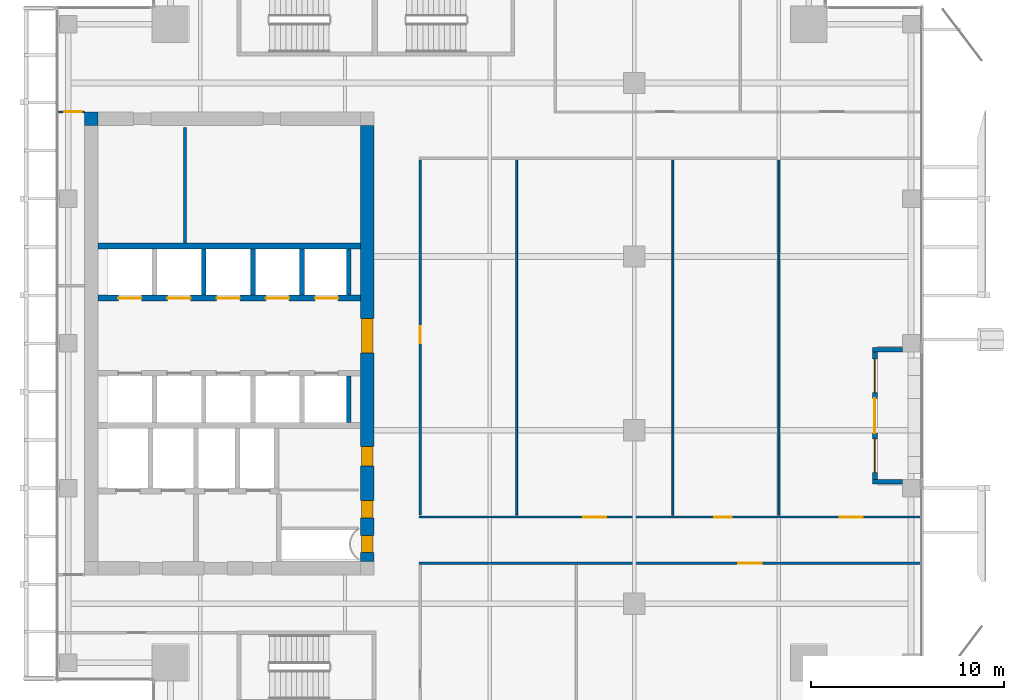
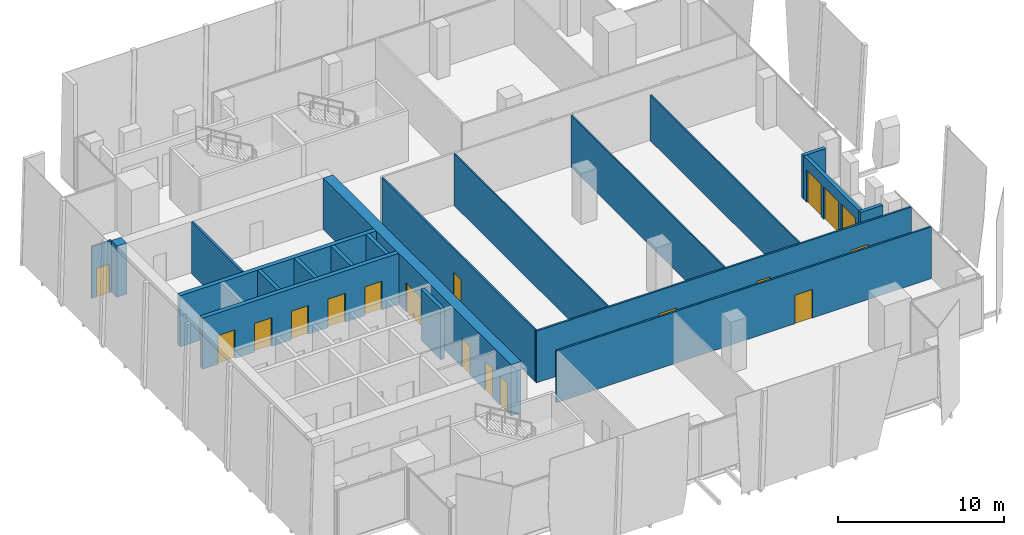
# One storey, part 29 of 35: 20 walls, 16 doors, 2 windows, 18 openings.
"""IFC4 building model written with IfcOpenShell, lengths in metres."""

import ifcopenshell
import ifcopenshell.guid

model = None  # the IFC model being written
_history = None  # IfcOwnerHistory: only IFC2X3 demands one
_inside = {}  # id of a spatial element -> (the spatial element, [elements in it])
_under = {}  # id of a project, library or spatial element -> (it, [spatial elements below it])
_declared = {}  # id of a project -> (the project, [libraries it declares])
_typed = {}  # id of a type object -> (the type object, [elements of that type])
_made_of = {}  # id of a material, layer set ... -> (it, [elements and type objects made of it])


def new_model(schema):
    """Start an empty IFC model of exactly this schema.

    Asked for "IFC4X3", IfcOpenShell would pick the latest addendum, in which some entities
    have other attributes; the version numbers below select the first issue.
    IFC2X3 requires an IfcOwnerHistory on every rooted entity: one is made here for all.
    """
    global model, _history
    if schema == "IFC4X3":
        model = ifcopenshell.file(schema_version=(4, 3, 0, 0))
    else:
        model = ifcopenshell.file(schema=schema)
    _inside.clear()
    _under.clear()
    _declared.clear()
    _typed.clear()
    _made_of.clear()
    _history = None
    if model.schema == "IFC2X3":
        org = make("IfcOrganization", Name="unknown")
        user = make(
            "IfcPersonAndOrganization",
            ThePerson=make("IfcPerson", FamilyName="unknown"),
            TheOrganization=org,
        )
        app = make(
            "IfcApplication",
            ApplicationDeveloper=org,
            Version="unknown",
            ApplicationFullName="unknown",
            ApplicationIdentifier="unknown",
        )
        _history = make(
            "IfcOwnerHistory",
            OwningUser=user,
            OwningApplication=app,
            ChangeAction="ADDED",
            CreationDate=0,
        )
    return model


def make(cls, **values):
    """One entity of the class cls with the attributes given. An attribute that is None is left unset."""
    return model.create_entity(
        cls, **{name: value for name, value in values.items() if value is not None}
    )


def rooted(cls, **values):
    """An entity with a GlobalId (a new one), such as an element, a storey or a relation."""
    return make(cls, GlobalId=ifcopenshell.guid.new(), OwnerHistory=_history, **values)


def si_unit(unit_type, name, prefix=None):
    """IfcSIUnit, for example si_unit("LENGTHUNIT", "METRE", prefix="MILLI")."""
    return make("IfcSIUnit", UnitType=unit_type, Prefix=prefix, Name=name)


def assignment(units):
    """IfcUnitAssignment: the units of a project."""
    return None if units is None else make("IfcUnitAssignment", Units=units)


def point(xyz):
    """IfcCartesianPoint."""
    return None if xyz is None else make("IfcCartesianPoint", Coordinates=xyz)


def direction(xyz):
    """IfcDirection."""
    return None if xyz is None else make("IfcDirection", DirectionRatios=xyz)


def frame(location, z_axis=None, x_axis=None):
    """IfcAxis2Placement3D, a coordinate frame: its origin and axes. An axis left out is left unset."""
    return make(
        "IfcAxis2Placement3D",
        Location=point(location),
        Axis=direction(z_axis),
        RefDirection=direction(x_axis),
    )


def frame_2d(location, x_axis=None):
    """IfcAxis2Placement2D, a coordinate frame in the plane: its origin and x axis."""
    return make(
        "IfcAxis2Placement2D", Location=point(location), RefDirection=direction(x_axis)
    )


def origin():
    """The frame at (0, 0, 0) with its axes left unset."""
    return frame((0.0, 0.0, 0.0))


def place(relative_to, where):
    """IfcLocalPlacement: puts the frame where relative to a parent placement (None: the world)."""
    return make(
        "IfcLocalPlacement", PlacementRelTo=relative_to, RelativePlacement=where
    )


def context(
    kind, dimensions, precision=None, world=None, true_north=None, identifier=None
):
    """IfcGeometricRepresentationContext, for example the 3D "Model" context."""
    return make(
        "IfcGeometricRepresentationContext",
        ContextIdentifier=identifier,
        ContextType=kind,
        CoordinateSpaceDimension=dimensions,
        Precision=precision,
        WorldCoordinateSystem=world,
        TrueNorth=true_north,
    )


def subcontext(parent, identifier, kind, view, scale=None):
    """IfcGeometricRepresentationSubContext, for example "Body" below "Model"."""
    return make(
        "IfcGeometricRepresentationSubContext",
        ContextIdentifier=identifier,
        ContextType=kind,
        ParentContext=parent,
        TargetScale=scale,
        TargetView=view,
    )


def project(units=None, contexts=None):
    """IfcProject with its units and contexts."""
    return rooted(
        "IfcProject",
        Name="project",
        RepresentationContexts=contexts,
        UnitsInContext=assignment(units),
    )


def spatial(cls, under=None, at=None, **own):
    """A site, building, storey or space (cls), placed at a placement, below another one or the project."""
    s = rooted(cls, ObjectPlacement=at, **own)
    if under is not None:
        _under.setdefault(under.id(), (under, []))[1].append(s)
    return s


def profile(cls, at=None, kind="AREA", **sizes):
    """A parametric profile (cls). Its sizes go by their IFC names, for example OverallWidth=200.0."""
    return make(cls, ProfileType=kind, Position=at, **sizes)


def rectangle(**sizes):
    """IfcRectangleProfileDef."""
    return profile("IfcRectangleProfileDef", **sizes)


def extrude(swept, where, along, depth):
    """IfcExtrudedAreaSolid: the profile swept, set in the frame where, extruded along a direction by depth."""
    return make(
        "IfcExtrudedAreaSolid",
        SweptArea=swept,
        Position=where,
        ExtrudedDirection=direction(along),
        Depth=depth,
    )


def shape(context_of_items, identifier, shape_type, items):
    """IfcShapeRepresentation: the items that make up one representation, for example the "Body"."""
    return make(
        "IfcShapeRepresentation",
        ContextOfItems=context_of_items,
        RepresentationIdentifier=identifier,
        RepresentationType=shape_type,
        Items=items,
    )


def source(mapping_origin, context_of_items, identifier, shape_type, items):
    """IfcRepresentationMap: a shape defined once, which mapped items show again and again."""
    return make(
        "IfcRepresentationMap",
        MappingOrigin=mapping_origin,
        MappedRepresentation=shape(context_of_items, identifier, shape_type, items),
    )


def transform(
    local_origin,
    x_axis=None,
    y_axis=None,
    z_axis=None,
    scale=None,
    scale2=None,
    scale3=None,
    uniform=True,
):
    """IfcCartesianTransformationOperator3D, or its non-uniform kind. x_axis, y_axis, z_axis: its Axis1, 2, 3."""
    if uniform:
        return make(
            "IfcCartesianTransformationOperator3D",
            Axis1=direction(x_axis),
            Axis2=direction(y_axis),
            LocalOrigin=point(local_origin),
            Scale=scale,
            Axis3=direction(z_axis),
        )
    return make(
        "IfcCartesianTransformationOperator3DnonUniform",
        Axis1=direction(x_axis),
        Axis2=direction(y_axis),
        LocalOrigin=point(local_origin),
        Scale=scale,
        Axis3=direction(z_axis),
        Scale2=scale2,
        Scale3=scale3,
    )


def mapped(mapping_source, mapping_target):
    """IfcMappedItem: shows the shape of a source again, moved by a transform."""
    return make(
        "IfcMappedItem", MappingSource=mapping_source, MappingTarget=mapping_target
    )


def material(Name=None, Category=None):
    """IfcMaterial."""
    return make("IfcMaterial", Name=Name, Category=Category)


def layer(
    of_material, thickness, ventilated=None, Name=None, Category=None, Priority=None
):
    """IfcMaterialLayer: one layer of a wall or slab, of a material (None: an air gap)."""
    return make(
        "IfcMaterialLayer",
        Material=of_material,
        LayerThickness=thickness,
        IsVentilated=ventilated,
        Name=Name,
        Category=Category,
        Priority=Priority,
    )


def layer_set(layers, Name=None):
    """IfcMaterialLayerSet."""
    return make("IfcMaterialLayerSet", MaterialLayers=layers, LayerSetName=Name)


def made_of(thing, what):
    """Note that an element or type object is made of a material, layer set ...; save() writes the relation."""
    if what is not None:
        _made_of.setdefault(what.id(), (what, []))[1].append(thing)
    return thing


def type_object(cls, material=None, **own):
    """A type object (cls), such as IfcWallType, which elements share."""
    return made_of(rooted(cls, **own), material)


def element(
    cls,
    number,
    at=None,
    inside=None,
    cuts=None,
    type_object=None,
    material=None,
    context=None,
    identifier="Body",
    shape_type=None,
    held_by="IfcProductDefinitionShape",
    body=None,
    shapes=None,
    **own,
):
    """One element of the class cls, such as IfcWall. Its Tag is "e" and its number.

    at: its placement. inside: the storey or other place that contains it. cuts: it is an
    opening in that element (IfcRelVoidsElement). A single representation is given by context,
    identifier, shape_type and body (its items); several are given by shapes. held_by: the class
    of the entity that holds the representations. save() writes the other relations.
    """
    e = rooted(cls, Tag="e%d" % number, ObjectPlacement=at, **own)
    if body is not None:
        shapes = [shape(context, identifier, shape_type, body)]
    if shapes is not None:
        e.Representation = make(held_by, Representations=shapes)
    if inside is not None:
        _inside.setdefault(inside.id(), (inside, []))[1].append(e)
    if cuts is not None:
        rooted(
            "IfcRelVoidsElement", RelatingBuildingElement=cuts, RelatedOpeningElement=e
        )
    if type_object is not None:
        _typed.setdefault(type_object.id(), (type_object, []))[1].append(e)
    return made_of(e, material)


def fill(opening, filler):
    """IfcRelFillsElement: the door or window that sits in an opening."""
    return rooted(
        "IfcRelFillsElement",
        RelatingOpeningElement=opening,
        RelatedBuildingElement=filler,
    )


def aggregate(whole, parts):
    """IfcRelAggregates: a whole, such as a stair, and the parts it consists of."""
    return rooted("IfcRelAggregates", RelatingObject=whole, RelatedObjects=parts)


def save(model, path):
    """Write the relations noted so far, then the file.

    IfcRelAggregates (storeys below a building ...), IfcRelContainedInSpatialStructure (elements
    in a storey), IfcRelDefinesByType, IfcRelAssociatesMaterial and IfcRelDeclares: one each for
    every whole, place, type object, material and project.
    """
    for whole, parts in _under.values():
        aggregate(whole, parts)
    for where, things in _inside.values():
        rooted(
            "IfcRelContainedInSpatialStructure",
            RelatedElements=things,
            RelatingStructure=where,
        )
    for kind, things in _typed.values():
        rooted("IfcRelDefinesByType", RelatedObjects=things, RelatingType=kind)
    for what, things in _made_of.values():
        rooted("IfcRelAssociatesMaterial", RelatedObjects=things, RelatingMaterial=what)
    for by, libraries in _declared.values():
        rooted("IfcRelDeclares", RelatingContext=by, RelatedDefinitions=libraries)
    model.write(path)


model = new_model("IFC4")

# Units and contexts
model_context = context("Model", 3, precision=1e-05, world=origin(), true_north=direction((0.0, 1.0)))
body_context = subcontext(model_context, "Body", "Model", "MODEL_VIEW")
ifc_project = project(units=[si_unit("LENGTHUNIT", "METRE"), si_unit("AREAUNIT", "SQUARE_METRE"), si_unit("VOLUMEUNIT", "CUBIC_METRE"), si_unit("PLANEANGLEUNIT", "RADIAN"), si_unit("MASSUNIT", "GRAM", prefix="KILO")], contexts=[model_context])

# Site, building, storey
site_placement = place(None, origin())
site = spatial("IfcSite", under=ifc_project, at=site_placement, CompositionType="ELEMENT")
building_placement = place(site_placement, origin())
building = spatial("IfcBuilding", under=site, at=building_placement, Name="Khomas Fold Tower", CompositionType="ELEMENT")
storey_placement = place(building_placement, frame((0.0, 0.0, 258.199951171875)))
storey = spatial("IfcBuildingStorey", under=building, at=storey_placement, Name="L58", CompositionType="ELEMENT", Elevation=258.199951171875)

# Walls
ifc_material_1 = material(Name="Concrete C50/60", Category="concrete")
ifc_layer_1 = layer(ifc_material_1, 0.25)
ifc_layer_set_1 = layer_set([ifc_layer_1], Name="Concrete C50/60")
wall_type_1 = type_object("IfcWallType", Name="Shaft wall 250", PredefinedType="STANDARD", material=ifc_layer_set_1)
shared_shape_1 = source(origin(), body_context, "Body", "SweptSolid", [
    extrude(rectangle(XDim=2.39990234375, YDim=0.25, at=frame_2d((1.199951171875, 0.0))), origin(), (0.0, 0.0, 1.0), 3.75),
])
for number, where, z_axis, x_axis, name in (
    (1, (17.27490234375, 29.5, 0.0), (0.0, 0.0, 1.0), (0.0, 1.0, 0.0), "Core wall SW-HRN-MR-P1"),
    (2, (19.699951171875, 29.5, 0.0), (0.0, 0.0, 1.0), (0.0, 1.0, 0.0), "Core wall SW-HRN-MR-PE"),
    (3, (12.175048828125, 29.5, 0.0), (0.0, 0.0, 1.0), (0.0, 1.0, 0.0), "Core wall SW-HRN-P2"),
    (4, (14.72509765625, 29.5, 0.0), (0.0, 0.0, 1.0), (0.0, 1.0, 0.0), "Core wall SW-HRN-PE"),
):
    element("IfcWall", number, at=place(storey_placement, frame(where, z_axis=z_axis, x_axis=x_axis)), inside=storey, type_object=wall_type_1, Name=name, PredefinedType="STANDARD", context=body_context, shape_type="MappedRepresentation", body=[
        mapped(shared_shape_1, transform((0.0, 0.0, 0.0))),
    ])
shared_shape_2 = source(origin(), body_context, "Body", "SweptSolid", [
    extrude(rectangle(XDim=2.400146484375, YDim=0.25, at=frame_2d((1.2001953125, 0.0))), origin(), (0.0, 0.0, 1.0), 3.75),
])
wall_1_placement = place(storey_placement, frame((19.699951171875, 22.89990234375, 0.0), z_axis=(0.0, 0.0, 1.0), x_axis=(0.0, 1.0, 0.0)))
element("IfcWall", 5, at=wall_1_placement, inside=storey, type_object=wall_type_1, Name="Core wall SW-HRS-MR-PE", PredefinedType="STANDARD", context=body_context, shape_type="MappedRepresentation", body=[
    mapped(shared_shape_2, transform((0.0, 0.0, 0.0))),
])
ifc_material_2 = material(Name="Concrete C60/75", Category="concrete")
ifc_layer_2 = layer(ifc_material_2, 0.699951171875)
ifc_layer_set_2 = layer_set([ifc_layer_2], Name="Concrete C60/75")
wall_type_2 = type_object("IfcWallType", Name="Core corner wall 700", PredefinedType="SHEAR", material=ifc_layer_set_2)
shared_shape_3 = source(origin(), body_context, "Body", "SweptSolid", [
    extrude(rectangle(XDim=0.699951171875, YDim=0.699951171875, at=frame_2d((0.35009765625, 0.0))), origin(), (0.0, 0.0, 1.0), 3.75),
])
wall_2_placement = place(storey_placement, frame((6.0, 38.64990234375, 0.0), z_axis=(0.0, 0.0, 1.0), x_axis=(1.0, 0.0, 0.0)))
element("IfcWall", 6, at=wall_2_placement, inside=storey, type_object=wall_type_2, Name="Core wall CW-U-NW-L49", PredefinedType="SHEAR", context=body_context, shape_type="MappedRepresentation", body=[
    mapped(shared_shape_3, transform((0.0, 0.0, 0.0))),
])

# Wall, openings, doors
ifc_material_3 = material(Name="Concrete C60/75", Category="concrete")
ifc_layer_3 = layer(ifc_material_3, 0.699951171875)
ifc_layer_set_3 = layer_set([ifc_layer_3], Name="Concrete C60/75")
wall_type_3 = type_object("IfcWallType", Name="Core wall 700", PredefinedType="SHEAR", material=ifc_layer_set_3)
shared_shape_4 = source(origin(), body_context, "Body", "SweptSolid", [
    extrude(rectangle(XDim=22.60009765625, YDim=0.699951171875, at=frame_2d((11.300048828125, 0.0))), origin(), (0.0, 0.0, 1.0), 3.75),
])
wall_3_placement = place(storey_placement, frame((20.64990234375, 15.699951171875, 0.0), z_axis=(0.0, 0.0, 1.0), x_axis=(0.0, 1.0, 0.0)))
wall_3 = element("IfcWall", 7, at=wall_3_placement, inside=storey, type_object=wall_type_3, Name="Core wall CW-U-E-L49", PredefinedType="SHEAR", context=body_context, shape_type="MappedRepresentation", body=[
    mapped(shared_shape_4, transform((0.0, 0.0, 0.0))),
])
shared_shape_5 = source(origin(), body_context, "Body", "SweptSolid", [
    extrude(rectangle(XDim=1.800048828125, YDim=2.10009765625, at=frame_2d((0.89990234375, 1.050048828125))), frame((0.0, 0.35986328125, 0.0), z_axis=(0.0, -1.0, 0.0), x_axis=(1.0, 0.0, 0.0)), (0.0, 0.0, 1.0), 0.719970703125),
])
opening_1_placement = place(wall_3_placement, frame((10.800048828125, 0.0, 0.0)))
opening_1 = element("IfcOpeningElement", 8, at=opening_1_placement, cuts=wall_3, Name="Opening 0015", PredefinedType="OPENING", context=body_context, shape_type="MappedRepresentation", body=[
    mapped(shared_shape_5, transform((0.0, 0.0, 0.0))),
])
shared_shape_6 = source(origin(), body_context, "Body", "SweptSolid", [
    extrude(rectangle(XDim=0.89990234375, YDim=2.10009765625, at=frame_2d((0.449951171875, 1.050048828125))), frame((0.0, 0.35986328125, 0.0), z_axis=(0.0, -1.0, 0.0), x_axis=(1.0, 0.0, 0.0)), (0.0, 0.0, 1.0), 0.719970703125),
])
opening_2_placement = place(wall_3_placement, frame((0.449951171875, 0.0, 0.0)))
opening_2 = element("IfcOpeningElement", 9, at=opening_2_placement, cuts=wall_3, Name="Opening 0003", PredefinedType="OPENING", context=body_context, shape_type="MappedRepresentation", body=[
    mapped(shared_shape_6, transform((0.0, 0.0, 0.0))),
])
opening_3_placement = place(wall_3_placement, frame((2.25, 0.0, 0.0)))
opening_3 = element("IfcOpeningElement", 10, at=opening_3_placement, cuts=wall_3, Name="Opening 0008", PredefinedType="OPENING", context=body_context, shape_type="MappedRepresentation", body=[
    mapped(shared_shape_6, transform((0.0, 0.0, 0.0))),
])
shared_shape_7 = source(origin(), body_context, "Body", "SweptSolid", [
    extrude(rectangle(XDim=1.0, YDim=2.10009765625, at=frame_2d((0.5, 1.050048828125))), frame((0.0, 0.35986328125, 0.0), z_axis=(0.0, -1.0, 0.0), x_axis=(1.0, 0.0, 0.0)), (0.0, 0.0, 1.0), 0.719970703125),
])
opening_4_placement = place(wall_3_placement, frame((4.949951171875, 0.0, 0.0)))
opening_4 = element("IfcOpeningElement", 11, at=opening_4_placement, cuts=wall_3, Name="Opening 0006", PredefinedType="OPENING", context=body_context, shape_type="MappedRepresentation", body=[
    mapped(shared_shape_7, transform((0.0, 0.0, 0.0))),
])
ifc_material_4 = material(Name="Steel door leaf", Category="steel")
door_type_1 = type_object("IfcDoorType", Name="Lobby door 1800x2100", OperationType="DOUBLE_DOOR_SINGLE_SWING", PredefinedType="DOOR", material=ifc_material_4)
shared_shape_8 = source(origin(), body_context, "Body", "SweptSolid", [
    extrude(rectangle(XDim=1.800048828125, YDim=2.10009765625, at=frame_2d((0.89990234375, 1.050048828125))), frame((0.0, 0.2998046875, 0.0), z_axis=(0.0, -1.0, 0.0), x_axis=(1.0, 0.0, 0.0)), (0.0, 0.0, 1.0), 0.599853515625),
])
door_1_placement = place(opening_1_placement, origin())
door_1 = element("IfcDoor", 12, at=door_1_placement, inside=storey, type_object=door_type_1, Name="Lobby door", OperationType="DOUBLE_DOOR_SINGLE_SWING", OverallHeight=2.10009765625, OverallWidth=1.800048828125, PredefinedType="DOOR", context=body_context, shape_type="MappedRepresentation", body=[
    mapped(shared_shape_8, transform((0.0, 0.0, 0.0))),
])
fill(opening_1, door_1)
ifc_material_5 = material(Name="Steel door leaf", Category="steel")
door_type_2 = type_object("IfcDoorType", Name="Plant room door 900x2100 right-hand", OperationType="SINGLE_SWING_RIGHT", PredefinedType="DOOR", material=ifc_material_5)
shared_shape_9 = source(origin(), body_context, "Body", "SweptSolid", [
    extrude(rectangle(XDim=0.89990234375, YDim=2.10009765625, at=frame_2d((0.449951171875, 1.050048828125))), frame((0.0, 0.2998046875, 0.0), z_axis=(0.0, -1.0, 0.0), x_axis=(1.0, 0.0, 0.0)), (0.0, 0.0, 1.0), 0.599853515625),
])
door_2_placement = place(opening_2_placement, origin())
door_2 = element("IfcDoor", 13, at=door_2_placement, inside=storey, type_object=door_type_2, Name="Plant room door", OperationType="SINGLE_SWING_RIGHT", OverallHeight=2.10009765625, OverallWidth=0.89990234375, PredefinedType="DOOR", context=body_context, shape_type="MappedRepresentation", body=[
    mapped(shared_shape_9, transform((0.0, 0.0, 0.0))),
])
fill(opening_2, door_2)
ifc_material_6 = material(Name="Timber door leaf", Category="wood")
door_type_3 = type_object("IfcDoorType", Name="Door 900x2100 right-hand", OperationType="SINGLE_SWING_RIGHT", PredefinedType="DOOR", material=ifc_material_6)
door_3_placement = place(opening_3_placement, origin())
door_3 = element("IfcDoor", 14, at=door_3_placement, inside=storey, type_object=door_type_3, Name="Door", OperationType="SINGLE_SWING_RIGHT", OverallHeight=2.10009765625, OverallWidth=0.89990234375, PredefinedType="DOOR", context=body_context, shape_type="MappedRepresentation", body=[
    mapped(shared_shape_9, transform((0.0, 0.0, 0.0))),
])
fill(opening_3, door_3)
ifc_material_7 = material(Name="Timber door leaf", Category="wood")
door_type_4 = type_object("IfcDoorType", Name="WC door 1000x2100 right-hand", OperationType="SINGLE_SWING_RIGHT", PredefinedType="DOOR", material=ifc_material_7)
shared_shape_10 = source(origin(), body_context, "Body", "SweptSolid", [
    extrude(rectangle(XDim=1.0, YDim=2.10009765625, at=frame_2d((0.5, 1.050048828125))), frame((0.0, 0.2998046875, 0.0), z_axis=(0.0, -1.0, 0.0), x_axis=(1.0, 0.0, 0.0)), (0.0, 0.0, 1.0), 0.599853515625),
])
door_4_placement = place(opening_4_placement, origin())
door_4 = element("IfcDoor", 15, at=door_4_placement, inside=storey, type_object=door_type_4, Name="WC door", OperationType="SINGLE_SWING_RIGHT", OverallHeight=2.10009765625, OverallWidth=1.0, PredefinedType="DOOR", context=body_context, shape_type="MappedRepresentation", body=[
    mapped(shared_shape_10, transform((0.0, 0.0, 0.0))),
])
fill(opening_4, door_4)

# Wall
ifc_material_8 = material(Name="Concrete C50/60", Category="concrete")
ifc_layer_4 = layer(ifc_material_8, 0.300048828125)
ifc_layer_set_4 = layer_set([ifc_layer_4], Name="Concrete C50/60")
wall_type_4 = type_object("IfcWallType", Name="Shaft wall 300", PredefinedType="STANDARD", material=ifc_layer_set_4)
shared_shape_11 = source(origin(), body_context, "Body", "SweptSolid", [
    extrude(rectangle(XDim=13.60009765625, YDim=0.300048828125, at=frame_2d((6.800048828125, 0.0))), origin(), (0.0, 0.0, 1.0), 3.75),
])
wall_4_placement = place(storey_placement, frame((6.699951171875, 32.050048828125, 0.0), z_axis=(0.0, 0.0, 1.0), x_axis=(1.0, 0.0, 0.0)))
element("IfcWall", 16, at=wall_4_placement, inside=storey, type_object=wall_type_4, Name="Core wall SW-HRN-B", PredefinedType="STANDARD", context=body_context, shape_type="MappedRepresentation", body=[
    mapped(shared_shape_11, transform((0.0, 0.0, 0.0))),
])

# Wall, openings, doors
wall_5_placement = place(storey_placement, frame((6.699951171875, 29.35009765625, 0.0), z_axis=(0.0, 0.0, 1.0), x_axis=(1.0, 0.0, 0.0)))
wall_5 = element("IfcWall", 17, at=wall_5_placement, inside=storey, type_object=wall_type_4, Name="Core wall SW-HRN-F", PredefinedType="STANDARD", context=body_context, shape_type="MappedRepresentation", body=[
    mapped(shared_shape_11, transform((0.0, 0.0, 0.0))),
])
shared_shape_12 = source(origin(), body_context, "Body", "SweptSolid", [
    extrude(rectangle(XDim=1.199951171875, YDim=2.10009765625, at=frame_2d((0.60009765625, 1.050048828125))), frame((0.0, 0.159912109375, 0.0), z_axis=(0.0, -1.0, 0.0), x_axis=(1.0, 0.0, 0.0)), (0.0, 0.0, 1.0), 0.320068359375),
])
opening_5_placement = place(wall_5_placement, frame((1.050048828125, 0.0, 0.0)))
opening_5 = element("IfcOpeningElement", 18, at=opening_5_placement, cuts=wall_5, Name="Opening LD-HR4", PredefinedType="OPENING", context=body_context, shape_type="MappedRepresentation", body=[
    mapped(shared_shape_12, transform((0.0, 0.0, 0.0))),
])
opening_6_placement = place(wall_5_placement, frame((3.60009765625, 0.0, 0.0)))
opening_6 = element("IfcOpeningElement", 19, at=opening_6_placement, cuts=wall_5, Name="Opening LD-HR5", PredefinedType="OPENING", context=body_context, shape_type="MappedRepresentation", body=[
    mapped(shared_shape_12, transform((0.0, 0.0, 0.0))),
])
opening_7_placement = place(wall_5_placement, frame((6.14990234375, 0.0, 0.0)))
opening_7 = element("IfcOpeningElement", 20, at=opening_7_placement, cuts=wall_5, Name="Opening LD-HR6", PredefinedType="OPENING", context=body_context, shape_type="MappedRepresentation", body=[
    mapped(shared_shape_12, transform((0.0, 0.0, 0.0))),
])
opening_8_placement = place(wall_5_placement, frame((8.699951171875, 0.0, 0.0)))
opening_8 = element("IfcOpeningElement", 21, at=opening_8_placement, cuts=wall_5, Name="Opening LD-MR3", PredefinedType="OPENING", context=body_context, shape_type="MappedRepresentation", body=[
    mapped(shared_shape_12, transform((0.0, 0.0, 0.0))),
])
opening_9_placement = place(wall_5_placement, frame((11.25, 0.0, 0.0)))
opening_9 = element("IfcOpeningElement", 22, at=opening_9_placement, cuts=wall_5, Name="Opening LD-MR4", PredefinedType="OPENING", context=body_context, shape_type="MappedRepresentation", body=[
    mapped(shared_shape_12, transform((0.0, 0.0, 0.0))),
])
ifc_material_9 = material(Name="Steel door leaf", Category="steel")
door_type_5 = type_object("IfcDoorType", Name="Landing door 1200x2100", OperationType="DOUBLE_DOOR_SLIDING", PredefinedType="DOOR", material=ifc_material_9)
shared_shape_13 = source(origin(), body_context, "Body", "SweptSolid", [
    extrude(rectangle(XDim=1.199951171875, YDim=2.10009765625, at=frame_2d((0.60009765625, 1.050048828125))), frame((0.0, 0.02490234375, 0.0), z_axis=(0.0, -1.0, 0.0), x_axis=(1.0, 0.0, 0.0)), (0.0, 0.0, 1.0), 0.050048828125),
])
door_5_placement = place(opening_5_placement, origin())
door_5 = element("IfcDoor", 23, at=door_5_placement, inside=storey, type_object=door_type_5, Name="Lift landing door", OperationType="DOUBLE_DOOR_SLIDING", OverallHeight=2.10009765625, OverallWidth=1.199951171875, PredefinedType="DOOR", context=body_context, shape_type="MappedRepresentation", body=[
    mapped(shared_shape_13, transform((0.0, 0.0, 0.0))),
])
fill(opening_5, door_5)
door_6_placement = place(opening_6_placement, origin())
door_6 = element("IfcDoor", 24, at=door_6_placement, inside=storey, type_object=door_type_5, Name="Lift landing door", OperationType="DOUBLE_DOOR_SLIDING", OverallHeight=2.10009765625, OverallWidth=1.199951171875, PredefinedType="DOOR", context=body_context, shape_type="MappedRepresentation", body=[
    mapped(shared_shape_13, transform((0.0, 0.0, 0.0))),
])
fill(opening_6, door_6)
door_7_placement = place(opening_7_placement, origin())
door_7 = element("IfcDoor", 25, at=door_7_placement, inside=storey, type_object=door_type_5, Name="Lift landing door", OperationType="DOUBLE_DOOR_SLIDING", OverallHeight=2.10009765625, OverallWidth=1.199951171875, PredefinedType="DOOR", context=body_context, shape_type="MappedRepresentation", body=[
    mapped(shared_shape_13, transform((0.0, 0.0, 0.0))),
])
fill(opening_7, door_7)
door_8_placement = place(opening_8_placement, origin())
door_8 = element("IfcDoor", 26, at=door_8_placement, inside=storey, type_object=door_type_5, Name="Lift landing door", OperationType="DOUBLE_DOOR_SLIDING", OverallHeight=2.10009765625, OverallWidth=1.199951171875, PredefinedType="DOOR", context=body_context, shape_type="MappedRepresentation", body=[
    mapped(shared_shape_13, transform((0.0, 0.0, 0.0))),
])
fill(opening_8, door_8)
door_9_placement = place(opening_9_placement, origin())
door_9 = element("IfcDoor", 27, at=door_9_placement, inside=storey, type_object=door_type_5, Name="Lift landing door", OperationType="DOUBLE_DOOR_SLIDING", OverallHeight=2.10009765625, OverallWidth=1.199951171875, PredefinedType="DOOR", context=body_context, shape_type="MappedRepresentation", body=[
    mapped(shared_shape_13, transform((0.0, 0.0, 0.0))),
])
fill(opening_9, door_9)

# Wall, openings, door, windows
ifc_material_10 = material(Name="Natural stone", Category="masonry")
ifc_layer_5 = layer(ifc_material_10, 0.0400390625)
ifc_material_11 = material(Name="Mineral wool insulation", Category="insulation")
ifc_layer_6 = layer(ifc_material_11, 0.10009765625)
ifc_material_12 = material(Name="Masonry", Category="masonry")
ifc_layer_7 = layer(ifc_material_12, 0.110107421875)
ifc_layer_set_5 = layer_set([ifc_layer_5, ifc_layer_6, ifc_layer_7], Name="Stone-faced insulated masonry")
wall_type_5 = type_object("IfcWallType", Name="BL-Balcony wall", PredefinedType="SOLIDWALL", material=ifc_layer_set_5)
shared_shape_14 = source(origin(), body_context, "Body", "SweptSolid", [
    extrude(rectangle(XDim=6.60009765625, YDim=0.25, at=frame_2d((3.300048828125, 0.0))), origin(), (0.0, 0.0, 1.0), 3.199951171875),
])
wall_6_placement = place(storey_placement, frame((46.97509765625, 19.949951171875, 0.0), z_axis=(0.0, 0.0, 1.0), x_axis=(0.0, 1.0, 0.0)))
wall_6 = element("IfcWall", 28, at=wall_6_placement, inside=storey, type_object=wall_type_5, Name="Balcony wall BAL-L58-E2", PredefinedType="SOLIDWALL", context=body_context, shape_type="MappedRepresentation", body=[
    mapped(shared_shape_14, transform((0.0, 0.0, 0.0))),
])
shared_shape_15 = source(origin(), body_context, "Body", "SweptSolid", [
    extrude(rectangle(XDim=1.75, YDim=2.39990234375, at=frame_2d((0.875, 1.199951171875))), frame((0.0, 0.135009765625, 0.0), z_axis=(0.0, -1.0, 0.0), x_axis=(1.0, 0.0, 0.0)), (0.0, 0.0, 1.0), 0.27001953125),
])
opening_10_placement = place(wall_6_placement, frame((0.35009765625, 0.0, 0.0)))
opening_10 = element("IfcOpeningElement", 29, at=opening_10_placement, cuts=wall_6, Name="Opening BL-W3", PredefinedType="OPENING", context=body_context, shape_type="MappedRepresentation", body=[
    mapped(shared_shape_15, transform((0.0, 0.0, 0.0))),
])
opening_11_placement = place(wall_6_placement, frame((4.5, 0.0, 0.0)))
opening_11 = element("IfcOpeningElement", 30, at=opening_11_placement, cuts=wall_6, Name="Opening BL-W3", PredefinedType="OPENING", context=body_context, shape_type="MappedRepresentation", body=[
    mapped(shared_shape_15, transform((0.0, 0.0, 0.0))),
])
shared_shape_16 = source(origin(), body_context, "Body", "SweptSolid", [
    extrude(rectangle(XDim=1.800048828125, YDim=2.39990234375, at=frame_2d((0.89990234375, 1.199951171875))), frame((0.0, 0.135009765625, 0.0), z_axis=(0.0, -1.0, 0.0), x_axis=(1.0, 0.0, 0.0)), (0.0, 0.0, 1.0), 0.27001953125),
])
opening_12_placement = place(wall_6_placement, frame((2.39990234375, 0.0, 0.0)))
opening_12 = element("IfcOpeningElement", 31, at=opening_12_placement, cuts=wall_6, Name="Opening BD581", PredefinedType="OPENING", context=body_context, shape_type="MappedRepresentation", body=[
    mapped(shared_shape_16, transform((0.0, 0.0, 0.0))),
])
ifc_material_13 = material(Name="Aluminium framed double glazing", Category="aluminium")
door_type_6 = type_object("IfcDoorType", Name="BL-Glazed balcony door 1800 x 2400", OperationType="DOUBLE_DOOR_DOUBLE_SWING", PredefinedType="DOOR", material=ifc_material_13)
shared_shape_17 = source(origin(), body_context, "Body", "SweptSolid", [
    extrude(rectangle(XDim=1.800048828125, YDim=2.39990234375, at=frame_2d((0.89990234375, 1.199951171875))), frame((0.0, 0.02490234375, 0.0), z_axis=(0.0, -1.0, 0.0), x_axis=(1.0, 0.0, 0.0)), (0.0, 0.0, 1.0), 0.050048828125),
])
door_10_placement = place(opening_12_placement, origin())
door_10 = element("IfcDoor", 32, at=door_10_placement, inside=storey, type_object=door_type_6, Name="Balcony door BD581", OperationType="DOUBLE_DOOR_DOUBLE_SWING", OverallHeight=2.39990234375, OverallWidth=1.800048828125, PredefinedType="DOOR", context=body_context, shape_type="MappedRepresentation", body=[
    mapped(shared_shape_17, transform((0.0, 0.0, 0.0))),
])
fill(opening_12, door_10)
ifc_material_14 = material(Name="Aluminium framed double glazing", Category="aluminium")
window_type = type_object("IfcWindowType", Name="BL-Fixed glazing 1750 x 2400", PartitioningType="SINGLE_PANEL", PredefinedType="WINDOW", material=ifc_material_14)
shared_shape_18 = source(origin(), body_context, "Body", "SweptSolid", [
    extrude(rectangle(XDim=1.75, YDim=2.39990234375, at=frame_2d((0.875, 1.199951171875))), frame((0.0, 0.030029296875, 0.0), z_axis=(0.0, -1.0, 0.0), x_axis=(1.0, 0.0, 0.0)), (0.0, 0.0, 1.0), 0.06005859375),
])
window_1_placement = place(opening_10_placement, origin())
window_1 = element("IfcWindow", 33, at=window_1_placement, inside=storey, type_object=window_type, Name="Balcony glazing BAL-L58-E2-1", OverallHeight=2.39990234375, OverallWidth=1.75, PartitioningType="SINGLE_PANEL", PredefinedType="WINDOW", context=body_context, shape_type="MappedRepresentation", body=[
    mapped(shared_shape_18, transform((0.0, 0.0, 0.0))),
])
fill(opening_10, window_1)
window_2_placement = place(opening_11_placement, origin())
window_2 = element("IfcWindow", 34, at=window_2_placement, inside=storey, type_object=window_type, Name="Balcony glazing BAL-L58-E2-2", OverallHeight=2.39990234375, OverallWidth=1.75, PartitioningType="SINGLE_PANEL", PredefinedType="WINDOW", context=body_context, shape_type="MappedRepresentation", body=[
    mapped(shared_shape_18, transform((0.0, 0.0, 0.0))),
])
fill(opening_11, window_2)

# Walls
shared_shape_19 = source(origin(), body_context, "Body", "SweptSolid", [
    extrude(rectangle(XDim=1.5498046875, YDim=0.25, at=frame_2d((0.77490234375, 0.0))), origin(), (0.0, 0.0, 1.0), 3.199951171875),
])
for number, where, z_axis, x_axis, name in (
    (35, (48.39990234375, 19.824951171875, 0.0), (0.0, 0.0, 1.0), (-1.0, 0.0, 0.0), "Balcony return wall BAL-L58-E2-lo"),
    (36, (48.39990234375, 26.675048828125, 0.0), (0.0, 0.0, 1.0), (-1.0, 0.0, 0.0), "Balcony return wall BAL-L58-E2-hi"),
):
    element("IfcWall", number, at=place(storey_placement, frame(where, z_axis=z_axis, x_axis=x_axis)), inside=storey, type_object=wall_type_5, Name=name, PredefinedType="SOLIDWALL", context=body_context, shape_type="MappedRepresentation", body=[
        mapped(shared_shape_19, transform((0.0, 0.0, 0.0))),
    ])
ifc_material_15 = material(Name="Plasterboard fire partition")
ifc_layer_8 = layer(ifc_material_15, 0.14990234375)
ifc_layer_set_6 = layer_set([ifc_layer_8], Name="Plasterboard fire partition")
wall_type_6 = type_object("IfcWallType", Name="Plant room wall PW3 150", PredefinedType="PARTITIONING", material=ifc_layer_set_6)
shared_shape_20 = source(origin(), body_context, "Body", "SweptSolid", [
    extrude(rectangle(XDim=6.0, YDim=0.14990234375, at=frame_2d((3.0, 0.0))), origin(), (0.0, 0.0, 1.0), 3.800048828125),
])
wall_7_placement = place(storey_placement, frame((11.199951171875, 32.199951171875, 0.0), z_axis=(0.0, 0.0, 1.0), x_axis=(0.0, 1.0, 0.0)))
element("IfcWall", 37, at=wall_7_placement, inside=storey, type_object=wall_type_6, Name="Plant room wall", PredefinedType="PARTITIONING", context=body_context, shape_type="MappedRepresentation", body=[
    mapped(shared_shape_20, transform((0.0, 0.0, 0.0))),
])

# Wall, opening, door
ifc_material_16 = material(Name="Plasterboard partition")
ifc_layer_9 = layer(ifc_material_16, 0.125)
ifc_layer_set_7 = layer_set([ifc_layer_9], Name="Plasterboard partition")
wall_type_7 = type_object("IfcWallType", Name="Partition PW2 125", PredefinedType="PARTITIONING", material=ifc_layer_set_7)
shared_shape_21 = source(origin(), body_context, "Body", "SweptSolid", [
    extrude(rectangle(XDim=1.35009765625, YDim=0.125, at=frame_2d((0.675048828125, 0.0))), origin(), (0.0, 0.0, 1.0), 3.800048828125),
])
wall_8_placement = place(storey_placement, frame((4.64990234375, 39.0, 0.0), z_axis=(0.0, 0.0, 1.0), x_axis=(1.0, 0.0, 0.0)))
wall_8 = element("IfcWall", 38, at=wall_8_placement, inside=storey, type_object=wall_type_7, Name="Partition", PredefinedType="PARTITIONING", context=body_context, shape_type="MappedRepresentation", body=[
    mapped(shared_shape_21, transform((0.0, 0.0, 0.0))),
])
shared_shape_22 = source(origin(), body_context, "Body", "SweptSolid", [
    extrude(rectangle(XDim=0.89990234375, YDim=2.10009765625, at=frame_2d((0.449951171875, 1.050048828125))), frame((0.0, 0.072509765625, 0.0), z_axis=(0.0, -1.0, 0.0), x_axis=(1.0, 0.0, 0.0)), (0.0, 0.0, 1.0), 0.14501953125),
])
opening_13_placement = place(wall_8_placement, frame((0.300048828125, 0.0, 0.0)))
opening_13 = element("IfcOpeningElement", 39, at=opening_13_placement, cuts=wall_8, Name="Opening 0008", PredefinedType="OPENING", context=body_context, shape_type="MappedRepresentation", body=[
    mapped(shared_shape_22, transform((0.0, 0.0, 0.0))),
])
shared_shape_23 = source(origin(), body_context, "Body", "SweptSolid", [
    extrude(rectangle(XDim=0.89990234375, YDim=2.10009765625, at=frame_2d((0.449951171875, 1.050048828125))), frame((0.0, 0.02490234375, 0.0), z_axis=(0.0, -1.0, 0.0), x_axis=(1.0, 0.0, 0.0)), (0.0, 0.0, 1.0), 0.050048828125),
])
door_11_placement = place(opening_13_placement, origin())
door_11 = element("IfcDoor", 40, at=door_11_placement, inside=storey, type_object=door_type_3, Name="Door", OperationType="SINGLE_SWING_RIGHT", OverallHeight=2.10009765625, OverallWidth=0.89990234375, PredefinedType="DOOR", context=body_context, shape_type="MappedRepresentation", body=[
    mapped(shared_shape_23, transform((0.0, 0.0, 0.0))),
])
fill(opening_13, door_11)

shared_shape_24 = source(origin(), body_context, "Body", "SweptSolid", [
    extrude(rectangle(XDim=26.0, YDim=0.125, at=frame_2d((13.0, 0.0))), origin(), (0.0, 0.0, 1.0), 3.800048828125),
])
wall_9_placement = place(storey_placement, frame((23.35009765625, 15.60009765625, 0.0), z_axis=(0.0, 0.0, 1.0), x_axis=(1.0, 0.0, 0.0)))
wall_9 = element("IfcWall", 41, at=wall_9_placement, inside=storey, type_object=wall_type_7, Name="Partition", PredefinedType="PARTITIONING", context=body_context, shape_type="MappedRepresentation", body=[
    mapped(shared_shape_24, transform((0.0, 0.0, 0.0))),
])
shared_shape_25 = source(origin(), body_context, "Body", "SweptSolid", [
    extrude(rectangle(XDim=1.199951171875, YDim=2.10009765625, at=frame_2d((0.60009765625, 1.050048828125))), frame((0.0, 0.072509765625, 0.0), z_axis=(0.0, -1.0, 0.0), x_axis=(1.0, 0.0, 0.0)), (0.0, 0.0, 1.0), 0.14501953125),
])
opening_14_placement = place(wall_9_placement, frame((16.550048828125, 0.0, 0.0)))
opening_14 = element("IfcOpeningElement", 42, at=opening_14_placement, cuts=wall_9, Name="Opening 0001", PredefinedType="OPENING", context=body_context, shape_type="MappedRepresentation", body=[
    mapped(shared_shape_25, transform((0.0, 0.0, 0.0))),
])
ifc_material_17 = material(Name="Timber door leaf", Category="wood")
door_type_7 = type_object("IfcDoorType", Name="Door 1200x2100 right-hand", OperationType="SINGLE_SWING_RIGHT", PredefinedType="DOOR", material=ifc_material_17)
door_12_placement = place(opening_14_placement, origin())
door_12 = element("IfcDoor", 43, at=door_12_placement, inside=storey, type_object=door_type_7, Name="Door", OperationType="SINGLE_SWING_RIGHT", OverallHeight=2.10009765625, OverallWidth=1.199951171875, PredefinedType="DOOR", context=body_context, shape_type="MappedRepresentation", body=[
    mapped(shared_shape_13, transform((0.0, 0.0, 0.0))),
])
fill(opening_14, door_12)

# Wall, openings, doors
wall_10_placement = place(storey_placement, frame((23.35009765625, 18.0, 0.0), z_axis=(0.0, 0.0, 1.0), x_axis=(1.0, 0.0, 0.0)))
wall_10 = element("IfcWall", 44, at=wall_10_placement, inside=storey, type_object=wall_type_7, Name="Partition", PredefinedType="PARTITIONING", context=body_context, shape_type="MappedRepresentation", body=[
    mapped(shared_shape_24, transform((0.0, 0.0, 0.0))),
])
opening_15_placement = place(wall_10_placement, frame((8.5, 0.0, 0.0)))
opening_15 = element("IfcOpeningElement", 45, at=opening_15_placement, cuts=wall_10, Name="Opening 0013", PredefinedType="OPENING", context=body_context, shape_type="MappedRepresentation", body=[
    mapped(shared_shape_25, transform((0.0, 0.0, 0.0))),
])
opening_16_placement = place(wall_10_placement, frame((15.300048828125, 0.0, 0.0)))
opening_16 = element("IfcOpeningElement", 46, at=opening_16_placement, cuts=wall_10, Name="Opening 0008", PredefinedType="OPENING", context=body_context, shape_type="MappedRepresentation", body=[
    mapped(shared_shape_22, transform((0.0, 0.0, 0.0))),
])
opening_17_placement = place(wall_10_placement, frame((21.800048828125, 0.0, 0.0)))
opening_17 = element("IfcOpeningElement", 47, at=opening_17_placement, cuts=wall_10, Name="Opening 0013", PredefinedType="OPENING", context=body_context, shape_type="MappedRepresentation", body=[
    mapped(shared_shape_25, transform((0.0, 0.0, 0.0))),
])
door_13_placement = place(opening_16_placement, origin())
door_13 = element("IfcDoor", 48, at=door_13_placement, inside=storey, type_object=door_type_3, Name="Door", OperationType="SINGLE_SWING_RIGHT", OverallHeight=2.10009765625, OverallWidth=0.89990234375, PredefinedType="DOOR", context=body_context, shape_type="MappedRepresentation", body=[
    mapped(shared_shape_23, transform((0.0, 0.0, 0.0))),
])
fill(opening_16, door_13)
ifc_material_18 = material(Name="Timber door leaf", Category="wood")
door_type_8 = type_object("IfcDoorType", Name="Door 1200x2100 left-hand", OperationType="SINGLE_SWING_LEFT", PredefinedType="DOOR", material=ifc_material_18)
door_14_placement = place(opening_15_placement, origin())
door_14 = element("IfcDoor", 49, at=door_14_placement, inside=storey, type_object=door_type_8, Name="Door", OperationType="SINGLE_SWING_LEFT", OverallHeight=2.10009765625, OverallWidth=1.199951171875, PredefinedType="DOOR", context=body_context, shape_type="MappedRepresentation", body=[
    mapped(shared_shape_13, transform((0.0, 0.0, 0.0))),
])
fill(opening_15, door_14)
door_15_placement = place(opening_17_placement, origin())
door_15 = element("IfcDoor", 50, at=door_15_placement, inside=storey, type_object=door_type_8, Name="Door", OperationType="SINGLE_SWING_LEFT", OverallHeight=2.10009765625, OverallWidth=1.199951171875, PredefinedType="DOOR", context=body_context, shape_type="MappedRepresentation", body=[
    mapped(shared_shape_13, transform((0.0, 0.0, 0.0))),
])
fill(opening_17, door_15)

# Wall, opening, door
shared_shape_26 = source(origin(), body_context, "Body", "SweptSolid", [
    extrude(rectangle(XDim=18.39990234375, YDim=0.125, at=frame_2d((9.199951171875, 0.0))), origin(), (0.0, 0.0, 1.0), 3.800048828125),
])
wall_11_placement = place(storey_placement, frame((23.39990234375, 18.10009765625, 0.0), z_axis=(0.0, 0.0, 1.0), x_axis=(0.0, 1.0, 0.0)))
wall_11 = element("IfcWall", 51, at=wall_11_placement, inside=storey, type_object=wall_type_7, Name="Partition", PredefinedType="PARTITIONING", context=body_context, shape_type="MappedRepresentation", body=[
    mapped(shared_shape_26, transform((0.0, 0.0, 0.0))),
])
opening_18_placement = place(wall_11_placement, frame((8.89990234375, 0.0, 0.0)))
opening_18 = element("IfcOpeningElement", 52, at=opening_18_placement, cuts=wall_11, Name="Opening 0008", PredefinedType="OPENING", context=body_context, shape_type="MappedRepresentation", body=[
    mapped(shared_shape_22, transform((0.0, 0.0, 0.0))),
])
door_16_placement = place(opening_18_placement, origin())
door_16 = element("IfcDoor", 53, at=door_16_placement, inside=storey, type_object=door_type_3, Name="Door", OperationType="SINGLE_SWING_RIGHT", OverallHeight=2.10009765625, OverallWidth=0.89990234375, PredefinedType="DOOR", context=body_context, shape_type="MappedRepresentation", body=[
    mapped(shared_shape_23, transform((0.0, 0.0, 0.0))),
])
fill(opening_18, door_16)

# Walls
ifc_material_19 = material(Name="Plasterboard partition")
ifc_layer_10 = layer(ifc_material_19, 0.10009765625)
ifc_layer_set_8 = layer_set([ifc_layer_10], Name="Plasterboard partition")
wall_type_8 = type_object("IfcWallType", Name="Partition PW1 100", PredefinedType="PARTITIONING", material=ifc_layer_set_8)
shared_shape_27 = source(origin(), body_context, "Body", "SweptSolid", [
    extrude(rectangle(XDim=18.39990234375, YDim=0.10009765625, at=frame_2d((9.199951171875, 0.0))), origin(), (0.0, 0.0, 1.0), 3.800048828125),
])
for number, where, z_axis, x_axis, name in (
    (54, (28.39990234375, 18.10009765625, 0.0), (0.0, 0.0, 1.0), (0.0, 1.0, 0.0), "Partition"),
    (55, (36.5, 18.10009765625, 0.0), (0.0, 0.0, 1.0), (0.0, 1.0, 0.0), "Partition"),
):
    element("IfcWall", number, at=place(storey_placement, frame(where, z_axis=z_axis, x_axis=x_axis)), inside=storey, type_object=wall_type_8, Name=name, PredefinedType="PARTITIONING", context=body_context, shape_type="MappedRepresentation", body=[
        mapped(shared_shape_27, transform((0.0, 0.0, 0.0))),
    ])
shared_shape_28 = source(origin(), body_context, "Body", "SweptSolid", [
    extrude(rectangle(XDim=18.39990234375, YDim=0.10009765625, at=frame_2d((9.199951171875, 0.0))), origin(), (0.0, 0.0, 1.0), 3.35009765625),
])
wall_12_placement = place(storey_placement, frame((42.0, 18.10009765625, 0.0), z_axis=(0.0, 0.0, 1.0), x_axis=(0.0, 1.0, 0.0)))
element("IfcWall", 56, at=wall_12_placement, inside=storey, type_object=wall_type_8, Name="Partition", PredefinedType="PARTITIONING", context=body_context, shape_type="MappedRepresentation", body=[
    mapped(shared_shape_28, transform((0.0, 0.0, 0.0))),
])

save(model, "model.ifc")
